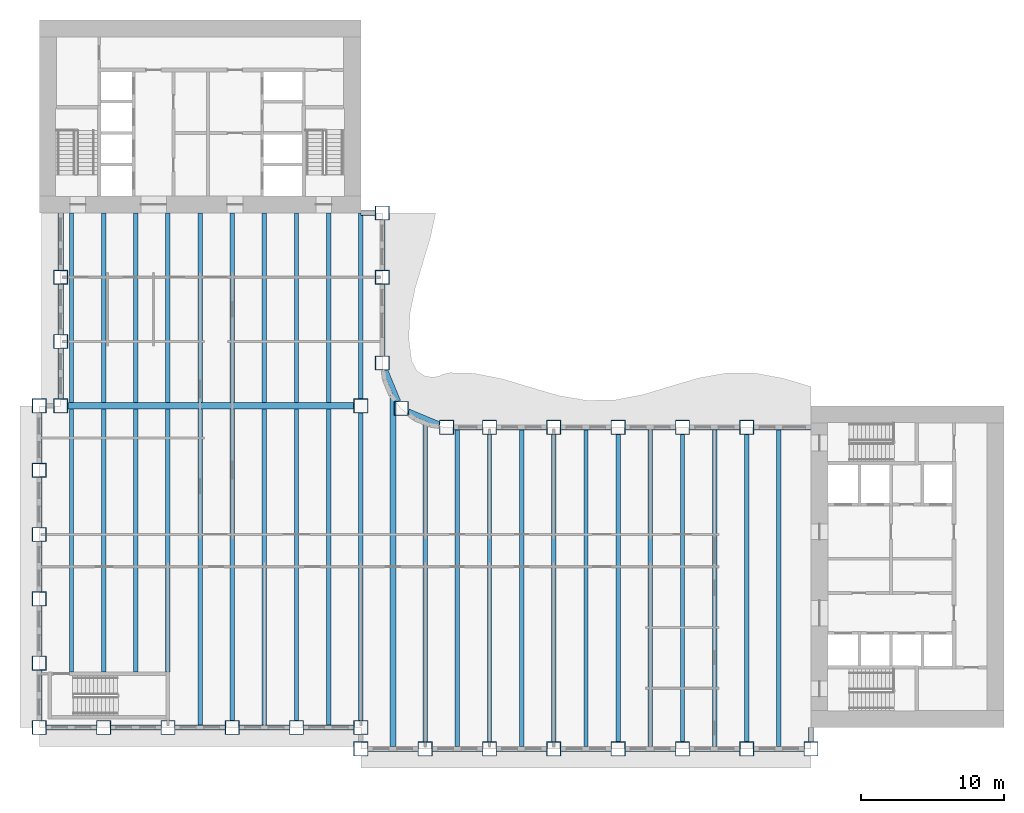
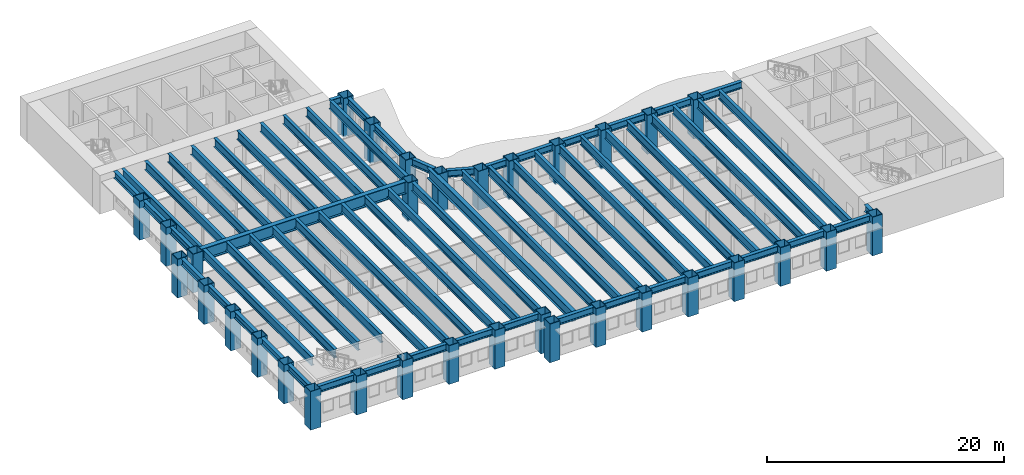
# One storey, part 1 of 16: 66 beams, 33 columns.
"""IFC4 building model written with IfcOpenShell, lengths in metres."""

import ifcopenshell
import ifcopenshell.guid

model = None  # the IFC model being written
_history = None  # IfcOwnerHistory: only IFC2X3 demands one
_inside = {}  # id of a spatial element -> (the spatial element, [elements in it])
_under = {}  # id of a project, library or spatial element -> (it, [spatial elements below it])
_declared = {}  # id of a project -> (the project, [libraries it declares])
_typed = {}  # id of a type object -> (the type object, [elements of that type])
_made_of = {}  # id of a material, layer set ... -> (it, [elements and type objects made of it])


def new_model(schema):
    """Start an empty IFC model of exactly this schema.

    Asked for "IFC4X3", IfcOpenShell would pick the latest addendum, in which some entities
    have other attributes; the version numbers below select the first issue.
    IFC2X3 requires an IfcOwnerHistory on every rooted entity: one is made here for all.
    """
    global model, _history
    if schema == "IFC4X3":
        model = ifcopenshell.file(schema_version=(4, 3, 0, 0))
    else:
        model = ifcopenshell.file(schema=schema)
    _inside.clear()
    _under.clear()
    _declared.clear()
    _typed.clear()
    _made_of.clear()
    _history = None
    if model.schema == "IFC2X3":
        org = make("IfcOrganization", Name="unknown")
        user = make(
            "IfcPersonAndOrganization",
            ThePerson=make("IfcPerson", FamilyName="unknown"),
            TheOrganization=org,
        )
        app = make(
            "IfcApplication",
            ApplicationDeveloper=org,
            Version="unknown",
            ApplicationFullName="unknown",
            ApplicationIdentifier="unknown",
        )
        _history = make(
            "IfcOwnerHistory",
            OwningUser=user,
            OwningApplication=app,
            ChangeAction="ADDED",
            CreationDate=0,
        )
    return model


def make(cls, **values):
    """One entity of the class cls with the attributes given. An attribute that is None is left unset."""
    return model.create_entity(
        cls, **{name: value for name, value in values.items() if value is not None}
    )


def rooted(cls, **values):
    """An entity with a GlobalId (a new one), such as an element, a storey or a relation."""
    return make(cls, GlobalId=ifcopenshell.guid.new(), OwnerHistory=_history, **values)


def si_unit(unit_type, name, prefix=None):
    """IfcSIUnit, for example si_unit("LENGTHUNIT", "METRE", prefix="MILLI")."""
    return make("IfcSIUnit", UnitType=unit_type, Prefix=prefix, Name=name)


def assignment(units):
    """IfcUnitAssignment: the units of a project."""
    return None if units is None else make("IfcUnitAssignment", Units=units)


def point(xyz):
    """IfcCartesianPoint."""
    return None if xyz is None else make("IfcCartesianPoint", Coordinates=xyz)


def direction(xyz):
    """IfcDirection."""
    return None if xyz is None else make("IfcDirection", DirectionRatios=xyz)


def frame(location, z_axis=None, x_axis=None):
    """IfcAxis2Placement3D, a coordinate frame: its origin and axes. An axis left out is left unset."""
    return make(
        "IfcAxis2Placement3D",
        Location=point(location),
        Axis=direction(z_axis),
        RefDirection=direction(x_axis),
    )


def frame_2d(location, x_axis=None):
    """IfcAxis2Placement2D, a coordinate frame in the plane: its origin and x axis."""
    return make(
        "IfcAxis2Placement2D", Location=point(location), RefDirection=direction(x_axis)
    )


def origin():
    """The frame at (0, 0, 0) with its axes left unset."""
    return frame((0.0, 0.0, 0.0))


def origin_2d():
    """The frame at (0, 0) in the plane with its x axis left unset."""
    return frame_2d((0.0, 0.0))


def place(relative_to, where):
    """IfcLocalPlacement: puts the frame where relative to a parent placement (None: the world)."""
    return make(
        "IfcLocalPlacement", PlacementRelTo=relative_to, RelativePlacement=where
    )


def context(
    kind, dimensions, precision=None, world=None, true_north=None, identifier=None
):
    """IfcGeometricRepresentationContext, for example the 3D "Model" context."""
    return make(
        "IfcGeometricRepresentationContext",
        ContextIdentifier=identifier,
        ContextType=kind,
        CoordinateSpaceDimension=dimensions,
        Precision=precision,
        WorldCoordinateSystem=world,
        TrueNorth=true_north,
    )


def subcontext(parent, identifier, kind, view, scale=None):
    """IfcGeometricRepresentationSubContext, for example "Body" below "Model"."""
    return make(
        "IfcGeometricRepresentationSubContext",
        ContextIdentifier=identifier,
        ContextType=kind,
        ParentContext=parent,
        TargetScale=scale,
        TargetView=view,
    )


def project(units=None, contexts=None):
    """IfcProject with its units and contexts."""
    return rooted(
        "IfcProject",
        Name="project",
        RepresentationContexts=contexts,
        UnitsInContext=assignment(units),
    )


def spatial(cls, under=None, at=None, **own):
    """A site, building, storey or space (cls), placed at a placement, below another one or the project."""
    s = rooted(cls, ObjectPlacement=at, **own)
    if under is not None:
        _under.setdefault(under.id(), (under, []))[1].append(s)
    return s


def profile(cls, at=None, kind="AREA", **sizes):
    """A parametric profile (cls). Its sizes go by their IFC names, for example OverallWidth=200.0."""
    return make(cls, ProfileType=kind, Position=at, **sizes)


def hollow_rectangle(**sizes):
    """IfcRectangleHollowProfileDef."""
    return profile("IfcRectangleHollowProfileDef", **sizes)


def i_section(**sizes):
    """IfcIShapeProfileDef."""
    return profile("IfcIShapeProfileDef", **sizes)


def extrude(swept, where, along, depth):
    """IfcExtrudedAreaSolid: the profile swept, set in the frame where, extruded along a direction by depth."""
    return make(
        "IfcExtrudedAreaSolid",
        SweptArea=swept,
        Position=where,
        ExtrudedDirection=direction(along),
        Depth=depth,
    )


def shape(context_of_items, identifier, shape_type, items):
    """IfcShapeRepresentation: the items that make up one representation, for example the "Body"."""
    return make(
        "IfcShapeRepresentation",
        ContextOfItems=context_of_items,
        RepresentationIdentifier=identifier,
        RepresentationType=shape_type,
        Items=items,
    )


def material(Name=None, Category=None):
    """IfcMaterial."""
    return make("IfcMaterial", Name=Name, Category=Category)


def material_profile(
    of_material, cross_section, Name=None, Category=None, Priority=None
):
    """IfcMaterialProfile: a cross section and its material."""
    return make(
        "IfcMaterialProfile",
        Name=Name,
        Material=of_material,
        Profile=cross_section,
        Priority=Priority,
        Category=Category,
    )


def profile_set(profiles, Name=None, composite=None):
    """IfcMaterialProfileSet."""
    return make(
        "IfcMaterialProfileSet",
        Name=Name,
        MaterialProfiles=profiles,
        CompositeProfile=composite,
    )


def made_of(thing, what):
    """Note that an element or type object is made of a material, layer set ...; save() writes the relation."""
    if what is not None:
        _made_of.setdefault(what.id(), (what, []))[1].append(thing)
    return thing


def type_object(cls, material=None, **own):
    """A type object (cls), such as IfcWallType, which elements share."""
    return made_of(rooted(cls, **own), material)


def element(
    cls,
    number,
    at=None,
    inside=None,
    cuts=None,
    type_object=None,
    material=None,
    context=None,
    identifier="Body",
    shape_type=None,
    held_by="IfcProductDefinitionShape",
    body=None,
    shapes=None,
    **own,
):
    """One element of the class cls, such as IfcWall. Its Tag is "e" and its number.

    at: its placement. inside: the storey or other place that contains it. cuts: it is an
    opening in that element (IfcRelVoidsElement). A single representation is given by context,
    identifier, shape_type and body (its items); several are given by shapes. held_by: the class
    of the entity that holds the representations. save() writes the other relations.
    """
    e = rooted(cls, Tag="e%d" % number, ObjectPlacement=at, **own)
    if body is not None:
        shapes = [shape(context, identifier, shape_type, body)]
    if shapes is not None:
        e.Representation = make(held_by, Representations=shapes)
    if inside is not None:
        _inside.setdefault(inside.id(), (inside, []))[1].append(e)
    if cuts is not None:
        rooted(
            "IfcRelVoidsElement", RelatingBuildingElement=cuts, RelatedOpeningElement=e
        )
    if type_object is not None:
        _typed.setdefault(type_object.id(), (type_object, []))[1].append(e)
    return made_of(e, material)


def aggregate(whole, parts):
    """IfcRelAggregates: a whole, such as a stair, and the parts it consists of."""
    return rooted("IfcRelAggregates", RelatingObject=whole, RelatedObjects=parts)


def save(model, path):
    """Write the relations noted so far, then the file.

    IfcRelAggregates (storeys below a building ...), IfcRelContainedInSpatialStructure (elements
    in a storey), IfcRelDefinesByType, IfcRelAssociatesMaterial and IfcRelDeclares: one each for
    every whole, place, type object, material and project.
    """
    for whole, parts in _under.values():
        aggregate(whole, parts)
    for where, things in _inside.values():
        rooted(
            "IfcRelContainedInSpatialStructure",
            RelatedElements=things,
            RelatingStructure=where,
        )
    for kind, things in _typed.values():
        rooted("IfcRelDefinesByType", RelatedObjects=things, RelatingType=kind)
    for what, things in _made_of.values():
        rooted("IfcRelAssociatesMaterial", RelatedObjects=things, RelatingMaterial=what)
    for by, libraries in _declared.values():
        rooted("IfcRelDeclares", RelatingContext=by, RelatedDefinitions=libraries)
    model.write(path)


model = new_model("IFC4")

# Units and contexts
model_context = context("Model", 3, precision=1e-05, world=origin(), true_north=direction((0.0, 1.0)))
body_context = subcontext(model_context, "Body", "Model", "MODEL_VIEW")
ifc_project = project(units=[si_unit("LENGTHUNIT", "METRE"), si_unit("AREAUNIT", "SQUARE_METRE"), si_unit("VOLUMEUNIT", "CUBIC_METRE"), si_unit("PLANEANGLEUNIT", "RADIAN"), si_unit("MASSUNIT", "GRAM", prefix="KILO")], contexts=[model_context])

# Site, building, storey
site_placement = place(None, origin())
site = spatial("IfcSite", under=ifc_project, at=site_placement, CompositionType="ELEMENT")
building_placement = place(site_placement, origin())
building = spatial("IfcBuilding", under=site, at=building_placement, Name="Sennacour Bend Tower", CompositionType="ELEMENT")
storey_placement = place(building_placement, frame((0.0, 0.0, 91.0)))
storey = spatial("IfcBuildingStorey", under=building, at=storey_placement, Name="L20", CompositionType="ELEMENT", Elevation=91.0)

# Columns
ifc_material_1 = material(Name="Steel ASTM A572 Grade 50", Category="steel")
ifc_material_profile_1 = material_profile(ifc_material_1, hollow_rectangle(XDim=1.0, YDim=1.0, WallThickness=0.050048828125, at=origin_2d()), Name="Steel ASTM A572 Grade 50", Category="steel")
ifc_profile_set_1 = profile_set([ifc_material_profile_1], Name="Steel ASTM A572 Grade 50")
column_type = type_object("IfcColumnType", Name="Box column 1000", PredefinedType="COLUMN", material=ifc_profile_set_1)
for number, where, z_axis, x_axis, name in (
    (1, (0.0, 0.0, -0.14990234375), (0.0, 0.0, 1.0), (1.0, 0.0, 0.0), "Perimeter column C2 L20-001"),
    (2, (0.0, 4.5, -0.14990234375), (0.0, 0.0, 1.0), (1.0, 0.0, 0.0), "Perimeter column C2 L20-002"),
    (3, (0.0, 9.0, -0.14990234375), (0.0, 0.0, 1.0), (1.0, 0.0, 0.0), "Perimeter column C2 L20-003"),
    (4, (0.0, 13.5, -0.14990234375), (0.0, 0.0, 1.0), (1.0, 0.0, 0.0), "Perimeter column C2 L20-004"),
    (5, (0.0, 18.0, -0.14990234375), (0.0, 0.0, 1.0), (1.0, 0.0, 0.0), "Perimeter column C2 L20-005"),
    (6, (0.0, 22.5, -0.14990234375), (0.0, 0.0, 1.0), (1.0, 0.0, 0.0), "Perimeter column C2 L20-006"),
    (7, (1.5, 22.5, -0.14990234375), (0.0, 0.0, 1.0), (1.0, 0.0, 0.0), "Perimeter column C2 L20-007"),
    (8, (1.5, 27.0, -0.14990234375), (0.0, 0.0, 1.0), (1.0, 0.0, 0.0), "Perimeter column C2 L20-008"),
    (9, (1.5, 31.5, -0.14990234375), (0.0, 0.0, 1.0), (1.0, 0.0, 0.0), "Perimeter column C2 L20-009"),
    (10, (4.5, 0.0, -0.14990234375), (0.0, 0.0, 1.0), (1.0, 0.0, 0.0), "Perimeter column C2 L20-010"),
    (11, (9.0, 0.0, -0.14990234375), (0.0, 0.0, 1.0), (1.0, 0.0, 0.0), "Perimeter column C2 L20-011"),
    (12, (13.5, 0.0, -0.14990234375), (0.0, 0.0, 1.0), (1.0, 0.0, 0.0), "Perimeter column C2 L20-012"),
    (13, (18.0, 0.0, -0.14990234375), (0.0, 0.0, 1.0), (1.0, 0.0, 0.0), "Perimeter column C2 L20-013"),
    (14, (22.5, -1.5, -0.14990234375), (0.0, 0.0, 1.0), (1.0, 0.0, 0.0), "Perimeter column C2 L20-014"),
    (15, (22.5, 0.0, -0.14990234375), (0.0, 0.0, 1.0), (1.0, 0.0, 0.0), "Perimeter column C2 L20-015"),
    (16, (22.5, 22.5, -0.14990234375), (0.0, 0.0, 1.0), (1.0, 0.0, 0.0), "Knuckle column C2 L20-016"),
    (17, (24.0, 25.5, -0.14990234375), (0.0, 0.0, 1.0), (1.0, 0.0, 0.0), "Perimeter column C2 L20-017"),
    (18, (24.0, 31.5, -0.14990234375), (0.0, 0.0, 1.0), (1.0, 0.0, 0.0), "Perimeter column C2 L20-018"),
    (19, (24.0, 36.0, -0.14990234375), (0.0, 0.0, 1.0), (1.0, 0.0, 0.0), "Perimeter column C2 L20-019"),
    (20, (25.318115234375, 22.318115234375, -0.14990234375), (0.0, 0.0, 1.0), (1.0, 0.0, 0.0), "Perimeter column C2 L20-020"),
    (21, (27.0, -1.5, -0.14990234375), (0.0, 0.0, 1.0), (1.0, 0.0, 0.0), "Perimeter column C2 L20-021"),
    (22, (28.5, 21.0, -0.14990234375), (0.0, 0.0, 1.0), (1.0, 0.0, 0.0), "Perimeter column C2 L20-022"),
    (23, (31.5, -1.5, -0.14990234375), (0.0, 0.0, 1.0), (1.0, 0.0, 0.0), "Perimeter column C2 L20-023"),
    (24, (31.5, 21.0, -0.14990234375), (0.0, 0.0, 1.0), (1.0, 0.0, 0.0), "Perimeter column C2 L20-024"),
    (25, (36.0, -1.5, -0.14990234375), (0.0, 0.0, 1.0), (1.0, 0.0, 0.0), "Perimeter column C2 L20-025"),
    (26, (36.0, 21.0, -0.14990234375), (0.0, 0.0, 1.0), (1.0, 0.0, 0.0), "Perimeter column C2 L20-026"),
    (27, (40.5, -1.5, -0.14990234375), (0.0, 0.0, 1.0), (1.0, 0.0, 0.0), "Perimeter column C2 L20-027"),
    (28, (40.5, 21.0, -0.14990234375), (0.0, 0.0, 1.0), (1.0, 0.0, 0.0), "Perimeter column C2 L20-028"),
    (29, (45.0, -1.5, -0.14990234375), (0.0, 0.0, 1.0), (1.0, 0.0, 0.0), "Perimeter column C2 L20-029"),
    (30, (45.0, 21.0, -0.14990234375), (0.0, 0.0, 1.0), (1.0, 0.0, 0.0), "Perimeter column C2 L20-030"),
    (31, (49.5, -1.5, -0.14990234375), (0.0, 0.0, 1.0), (1.0, 0.0, 0.0), "Perimeter column C2 L20-031"),
    (32, (49.5, 21.0, -0.14990234375), (0.0, 0.0, 1.0), (1.0, 0.0, 0.0), "Perimeter column C2 L20-032"),
    (33, (54.0, -1.5, -0.14990234375), (0.0, 0.0, 1.0), (1.0, 0.0, 0.0), "Perimeter column C2 L20-033"),
):
    element("IfcColumn", number, at=place(storey_placement, frame(where, z_axis=z_axis, x_axis=x_axis)), inside=storey, type_object=column_type, Name=name, PredefinedType="COLUMN", context=body_context, shape_type="SweptSolid", body=[
        extrude(hollow_rectangle(XDim=1.0, YDim=1.0, WallThickness=0.050048828125, at=origin_2d()), origin(), (0.0, 0.0, 1.0), 4.0),
    ])

# Beams
ifc_material_2 = material(Name="Steel ASTM A992 Grade 50", Category="steel")
ifc_material_profile_2 = material_profile(ifc_material_2, i_section(OverallWidth=0.304931640625, OverallDepth=0.912109375, WebThickness=0.015869140625, FlangeThickness=0.02392578125, FilletRadius=0.01904296875, at=origin_2d()), Name="Steel ASTM A992 Grade 50", Category="steel")
ifc_profile_set_2 = profile_set([ifc_material_profile_2], Name="Steel ASTM A992 Grade 50")
beam_type_1 = type_object("IfcBeamType", Name="Floor beam W920X223", PredefinedType="BEAM", material=ifc_profile_set_2)
beam_1_placement = place(storey_placement, frame((2.25, 3.875, 3.39404296875), z_axis=(0.0, 1.0, 0.0), x_axis=(-1.0, 0.0, 0.0)))
element("IfcBeam", 34, at=beam_1_placement, inside=storey, type_object=beam_type_1, Name="Floor beam FBM1 L21-001", PredefinedType="BEAM", context=body_context, shape_type="SweptSolid", body=[
    extrude(i_section(OverallWidth=0.304931640625, OverallDepth=0.912109375, WebThickness=0.015869140625, FlangeThickness=0.02392578125, FilletRadius=0.01904296875, at=origin_2d()), origin(), (0.0, 0.0, 1.0), 18.39990234375),
])
beam_2_placement = place(storey_placement, frame((2.25, 22.72509765625, 3.39404296875), z_axis=(0.0, 1.0, 0.0), x_axis=(-1.0, 0.0, 0.0)))
element("IfcBeam", 35, at=beam_2_placement, inside=storey, type_object=beam_type_1, Name="Floor beam FBM1 L21-002", PredefinedType="BEAM", context=body_context, shape_type="SweptSolid", body=[
    extrude(i_section(OverallWidth=0.304931640625, OverallDepth=0.912109375, WebThickness=0.015869140625, FlangeThickness=0.02392578125, FilletRadius=0.01904296875, at=origin_2d()), origin(), (0.0, 0.0, 1.0), 13.27490234375),
])
beam_3_placement = place(storey_placement, frame((4.5, 3.875, 3.39404296875), z_axis=(0.0, 1.0, 0.0), x_axis=(-1.0, 0.0, 0.0)))
element("IfcBeam", 36, at=beam_3_placement, inside=storey, type_object=beam_type_1, Name="Floor beam FBM1 L21-003", PredefinedType="BEAM", context=body_context, shape_type="SweptSolid", body=[
    extrude(i_section(OverallWidth=0.304931640625, OverallDepth=0.912109375, WebThickness=0.015869140625, FlangeThickness=0.02392578125, FilletRadius=0.01904296875, at=origin_2d()), origin(), (0.0, 0.0, 1.0), 18.39990234375),
])
beam_4_placement = place(storey_placement, frame((4.5, 22.72509765625, 3.39404296875), z_axis=(0.0, 1.0, 0.0), x_axis=(-1.0, 0.0, 0.0)))
element("IfcBeam", 37, at=beam_4_placement, inside=storey, type_object=beam_type_1, Name="Floor beam FBM1 L21-004", PredefinedType="BEAM", context=body_context, shape_type="SweptSolid", body=[
    extrude(i_section(OverallWidth=0.304931640625, OverallDepth=0.912109375, WebThickness=0.015869140625, FlangeThickness=0.02392578125, FilletRadius=0.01904296875, at=origin_2d()), origin(), (0.0, 0.0, 1.0), 13.27490234375),
])
beam_5_placement = place(storey_placement, frame((6.75, 3.875, 3.39404296875), z_axis=(0.0, 1.0, 0.0), x_axis=(-1.0, 0.0, 0.0)))
element("IfcBeam", 38, at=beam_5_placement, inside=storey, type_object=beam_type_1, Name="Floor beam FBM1 L21-005", PredefinedType="BEAM", context=body_context, shape_type="SweptSolid", body=[
    extrude(i_section(OverallWidth=0.304931640625, OverallDepth=0.912109375, WebThickness=0.015869140625, FlangeThickness=0.02392578125, FilletRadius=0.01904296875, at=origin_2d()), origin(), (0.0, 0.0, 1.0), 18.39990234375),
])
beam_6_placement = place(storey_placement, frame((6.75, 22.72509765625, 3.39404296875), z_axis=(0.0, 1.0, 0.0), x_axis=(-1.0, 0.0, 0.0)))
element("IfcBeam", 39, at=beam_6_placement, inside=storey, type_object=beam_type_1, Name="Floor beam FBM1 L21-006", PredefinedType="BEAM", context=body_context, shape_type="SweptSolid", body=[
    extrude(i_section(OverallWidth=0.304931640625, OverallDepth=0.912109375, WebThickness=0.015869140625, FlangeThickness=0.02392578125, FilletRadius=0.01904296875, at=origin_2d()), origin(), (0.0, 0.0, 1.0), 13.27490234375),
])
beam_7_placement = place(storey_placement, frame((9.0, 3.875, 3.39404296875), z_axis=(0.0, 1.0, 0.0), x_axis=(-1.0, 0.0, 0.0)))
element("IfcBeam", 40, at=beam_7_placement, inside=storey, type_object=beam_type_1, Name="Floor beam FBM1 L21-007", PredefinedType="BEAM", context=body_context, shape_type="SweptSolid", body=[
    extrude(i_section(OverallWidth=0.304931640625, OverallDepth=0.912109375, WebThickness=0.015869140625, FlangeThickness=0.02392578125, FilletRadius=0.01904296875, at=origin_2d()), origin(), (0.0, 0.0, 1.0), 18.39990234375),
])
beam_8_placement = place(storey_placement, frame((9.0, 22.72509765625, 3.39404296875), z_axis=(0.0, 1.0, 0.0), x_axis=(-1.0, 0.0, 0.0)))
element("IfcBeam", 41, at=beam_8_placement, inside=storey, type_object=beam_type_1, Name="Floor beam FBM1 L21-008", PredefinedType="BEAM", context=body_context, shape_type="SweptSolid", body=[
    extrude(i_section(OverallWidth=0.304931640625, OverallDepth=0.912109375, WebThickness=0.015869140625, FlangeThickness=0.02392578125, FilletRadius=0.01904296875, at=origin_2d()), origin(), (0.0, 0.0, 1.0), 13.27490234375),
])
beam_9_placement = place(storey_placement, frame((11.25, 0.177978515625, 3.39404296875), z_axis=(0.0, 1.0, 0.0), x_axis=(-1.0, 0.0, 0.0)))
element("IfcBeam", 42, at=beam_9_placement, inside=storey, type_object=beam_type_1, Name="Floor beam FBM1 L21-009", PredefinedType="BEAM", context=body_context, shape_type="SweptSolid", body=[
    extrude(i_section(OverallWidth=0.304931640625, OverallDepth=0.912109375, WebThickness=0.015869140625, FlangeThickness=0.02392578125, FilletRadius=0.01904296875, at=origin_2d()), origin(), (0.0, 0.0, 1.0), 22.096923828125),
])
beam_10_placement = place(storey_placement, frame((11.25, 22.72509765625, 3.39404296875), z_axis=(0.0, 1.0, 0.0), x_axis=(-1.0, 0.0, 0.0)))
element("IfcBeam", 43, at=beam_10_placement, inside=storey, type_object=beam_type_1, Name="Floor beam FBM1 L21-010", PredefinedType="BEAM", context=body_context, shape_type="SweptSolid", body=[
    extrude(i_section(OverallWidth=0.304931640625, OverallDepth=0.912109375, WebThickness=0.015869140625, FlangeThickness=0.02392578125, FilletRadius=0.01904296875, at=origin_2d()), origin(), (0.0, 0.0, 1.0), 13.27490234375),
])
beam_11_placement = place(storey_placement, frame((13.5, 0.5, 3.39404296875), z_axis=(0.0, 1.0, 0.0), x_axis=(-1.0, 0.0, 0.0)))
element("IfcBeam", 44, at=beam_11_placement, inside=storey, type_object=beam_type_1, Name="Floor beam FBM1 L21-011", PredefinedType="BEAM", context=body_context, shape_type="SweptSolid", body=[
    extrude(i_section(OverallWidth=0.304931640625, OverallDepth=0.912109375, WebThickness=0.015869140625, FlangeThickness=0.02392578125, FilletRadius=0.01904296875, at=origin_2d()), origin(), (0.0, 0.0, 1.0), 21.77490234375),
])
beam_12_placement = place(storey_placement, frame((13.5, 22.72509765625, 3.39404296875), z_axis=(0.0, 1.0, 0.0), x_axis=(-1.0, 0.0, 0.0)))
element("IfcBeam", 45, at=beam_12_placement, inside=storey, type_object=beam_type_1, Name="Floor beam FBM1 L21-012", PredefinedType="BEAM", context=body_context, shape_type="SweptSolid", body=[
    extrude(i_section(OverallWidth=0.304931640625, OverallDepth=0.912109375, WebThickness=0.015869140625, FlangeThickness=0.02392578125, FilletRadius=0.01904296875, at=origin_2d()), origin(), (0.0, 0.0, 1.0), 13.27490234375),
])
beam_13_placement = place(storey_placement, frame((15.75, 0.177978515625, 3.39404296875), z_axis=(0.0, 1.0, 0.0), x_axis=(-1.0, 0.0, 0.0)))
element("IfcBeam", 46, at=beam_13_placement, inside=storey, type_object=beam_type_1, Name="Floor beam FBM1 L21-013", PredefinedType="BEAM", context=body_context, shape_type="SweptSolid", body=[
    extrude(i_section(OverallWidth=0.304931640625, OverallDepth=0.912109375, WebThickness=0.015869140625, FlangeThickness=0.02392578125, FilletRadius=0.01904296875, at=origin_2d()), origin(), (0.0, 0.0, 1.0), 22.096923828125),
])
beam_14_placement = place(storey_placement, frame((15.75, 22.72509765625, 3.39404296875), z_axis=(0.0, 1.0, 0.0), x_axis=(-1.0, 0.0, 0.0)))
element("IfcBeam", 47, at=beam_14_placement, inside=storey, type_object=beam_type_1, Name="Floor beam FBM1 L21-014", PredefinedType="BEAM", context=body_context, shape_type="SweptSolid", body=[
    extrude(i_section(OverallWidth=0.304931640625, OverallDepth=0.912109375, WebThickness=0.015869140625, FlangeThickness=0.02392578125, FilletRadius=0.01904296875, at=origin_2d()), origin(), (0.0, 0.0, 1.0), 13.27490234375),
])
beam_15_placement = place(storey_placement, frame((18.0, 0.5, 3.39404296875), z_axis=(0.0, 1.0, 0.0), x_axis=(-1.0, 0.0, 0.0)))
element("IfcBeam", 48, at=beam_15_placement, inside=storey, type_object=beam_type_1, Name="Floor beam FBM1 L21-015", PredefinedType="BEAM", context=body_context, shape_type="SweptSolid", body=[
    extrude(i_section(OverallWidth=0.304931640625, OverallDepth=0.912109375, WebThickness=0.015869140625, FlangeThickness=0.02392578125, FilletRadius=0.01904296875, at=origin_2d()), origin(), (0.0, 0.0, 1.0), 21.77490234375),
])
beam_16_placement = place(storey_placement, frame((18.0, 22.72509765625, 3.39404296875), z_axis=(0.0, 1.0, 0.0), x_axis=(-1.0, 0.0, 0.0)))
element("IfcBeam", 49, at=beam_16_placement, inside=storey, type_object=beam_type_1, Name="Floor beam FBM1 L21-016", PredefinedType="BEAM", context=body_context, shape_type="SweptSolid", body=[
    extrude(i_section(OverallWidth=0.304931640625, OverallDepth=0.912109375, WebThickness=0.015869140625, FlangeThickness=0.02392578125, FilletRadius=0.01904296875, at=origin_2d()), origin(), (0.0, 0.0, 1.0), 13.27490234375),
])
beam_17_placement = place(storey_placement, frame((20.25, 0.177978515625, 3.39404296875), z_axis=(0.0, 1.0, 0.0), x_axis=(-1.0, 0.0, 0.0)))
element("IfcBeam", 50, at=beam_17_placement, inside=storey, type_object=beam_type_1, Name="Floor beam FBM1 L21-017", PredefinedType="BEAM", context=body_context, shape_type="SweptSolid", body=[
    extrude(i_section(OverallWidth=0.304931640625, OverallDepth=0.912109375, WebThickness=0.015869140625, FlangeThickness=0.02392578125, FilletRadius=0.01904296875, at=origin_2d()), origin(), (0.0, 0.0, 1.0), 22.096923828125),
])
beam_18_placement = place(storey_placement, frame((20.25, 22.72509765625, 3.39404296875), z_axis=(0.0, 1.0, 0.0), x_axis=(-1.0, 0.0, 0.0)))
element("IfcBeam", 51, at=beam_18_placement, inside=storey, type_object=beam_type_1, Name="Floor beam FBM1 L21-018", PredefinedType="BEAM", context=body_context, shape_type="SweptSolid", body=[
    extrude(i_section(OverallWidth=0.304931640625, OverallDepth=0.912109375, WebThickness=0.015869140625, FlangeThickness=0.02392578125, FilletRadius=0.01904296875, at=origin_2d()), origin(), (0.0, 0.0, 1.0), 13.27490234375),
])
beam_19_placement = place(storey_placement, frame((22.5, 0.5, 3.39404296875), z_axis=(0.0, 1.0, 0.0), x_axis=(-1.0, 0.0, 0.0)))
element("IfcBeam", 52, at=beam_19_placement, inside=storey, type_object=beam_type_1, Name="Floor beam FBM1 L21-019", PredefinedType="BEAM", context=body_context, shape_type="SweptSolid", body=[
    extrude(i_section(OverallWidth=0.304931640625, OverallDepth=0.912109375, WebThickness=0.015869140625, FlangeThickness=0.02392578125, FilletRadius=0.01904296875, at=origin_2d()), origin(), (0.0, 0.0, 1.0), 21.5),
])
beam_20_placement = place(storey_placement, frame((22.5, 23.0, 3.39404296875), z_axis=(0.0, 1.0, 0.0), x_axis=(-1.0, 0.0, 0.0)))
element("IfcBeam", 53, at=beam_20_placement, inside=storey, type_object=beam_type_1, Name="Floor beam FBM1 L21-020", PredefinedType="BEAM", context=body_context, shape_type="SweptSolid", body=[
    extrude(i_section(OverallWidth=0.304931640625, OverallDepth=0.912109375, WebThickness=0.015869140625, FlangeThickness=0.02392578125, FilletRadius=0.01904296875, at=origin_2d()), origin(), (0.0, 0.0, 1.0), 13.0),
])
beam_21_placement = place(storey_placement, frame((27.0, -1.0, 3.39404296875), z_axis=(0.0, 1.0, 0.0), x_axis=(-1.0, 0.0, 0.0)))
element("IfcBeam", 54, at=beam_21_placement, inside=storey, type_object=beam_type_1, Name="Floor beam FBM1 L21-022", PredefinedType="BEAM", context=body_context, shape_type="SweptSolid", body=[
    extrude(i_section(OverallWidth=0.304931640625, OverallDepth=0.912109375, WebThickness=0.015869140625, FlangeThickness=0.02392578125, FilletRadius=0.01904296875, at=origin_2d()), origin(), (0.0, 0.0, 1.0), 22.4287109375),
])
beam_22_placement = place(storey_placement, frame((29.25, -1.322021484375, 3.39404296875), z_axis=(0.0, 1.0, 0.0), x_axis=(-1.0, 0.0, 0.0)))
element("IfcBeam", 55, at=beam_22_placement, inside=storey, type_object=beam_type_1, Name="Floor beam FBM1 L21-023", PredefinedType="BEAM", context=body_context, shape_type="SweptSolid", body=[
    extrude(i_section(OverallWidth=0.304931640625, OverallDepth=0.912109375, WebThickness=0.015869140625, FlangeThickness=0.02392578125, FilletRadius=0.01904296875, at=origin_2d()), origin(), (0.0, 0.0, 1.0), 22.14404296875),
])
beam_23_placement = place(storey_placement, frame((31.5, -1.0, 3.39404296875), z_axis=(0.0, 1.0, 0.0), x_axis=(-1.0, 0.0, 0.0)))
element("IfcBeam", 56, at=beam_23_placement, inside=storey, type_object=beam_type_1, Name="Floor beam FBM1 L21-024", PredefinedType="BEAM", context=body_context, shape_type="SweptSolid", body=[
    extrude(i_section(OverallWidth=0.304931640625, OverallDepth=0.912109375, WebThickness=0.015869140625, FlangeThickness=0.02392578125, FilletRadius=0.01904296875, at=origin_2d()), origin(), (0.0, 0.0, 1.0), 21.5),
])
beam_24_placement = place(storey_placement, frame((33.75, -1.322021484375, 3.39404296875), z_axis=(0.0, 1.0, 0.0), x_axis=(-1.0, 0.0, 0.0)))
element("IfcBeam", 57, at=beam_24_placement, inside=storey, type_object=beam_type_1, Name="Floor beam FBM1 L21-025", PredefinedType="BEAM", context=body_context, shape_type="SweptSolid", body=[
    extrude(i_section(OverallWidth=0.304931640625, OverallDepth=0.912109375, WebThickness=0.015869140625, FlangeThickness=0.02392578125, FilletRadius=0.01904296875, at=origin_2d()), origin(), (0.0, 0.0, 1.0), 22.14404296875),
])
beam_25_placement = place(storey_placement, frame((36.0, -1.0, 3.39404296875), z_axis=(0.0, 1.0, 0.0), x_axis=(-1.0, 0.0, 0.0)))
element("IfcBeam", 58, at=beam_25_placement, inside=storey, type_object=beam_type_1, Name="Floor beam FBM1 L21-026", PredefinedType="BEAM", context=body_context, shape_type="SweptSolid", body=[
    extrude(i_section(OverallWidth=0.304931640625, OverallDepth=0.912109375, WebThickness=0.015869140625, FlangeThickness=0.02392578125, FilletRadius=0.01904296875, at=origin_2d()), origin(), (0.0, 0.0, 1.0), 21.5),
])
beam_26_placement = place(storey_placement, frame((38.25, -1.322021484375, 3.39404296875), z_axis=(0.0, 1.0, 0.0), x_axis=(-1.0, 0.0, 0.0)))
element("IfcBeam", 59, at=beam_26_placement, inside=storey, type_object=beam_type_1, Name="Floor beam FBM1 L21-027", PredefinedType="BEAM", context=body_context, shape_type="SweptSolid", body=[
    extrude(i_section(OverallWidth=0.304931640625, OverallDepth=0.912109375, WebThickness=0.015869140625, FlangeThickness=0.02392578125, FilletRadius=0.01904296875, at=origin_2d()), origin(), (0.0, 0.0, 1.0), 22.14404296875),
])
beam_27_placement = place(storey_placement, frame((40.5, -1.0, 3.39404296875), z_axis=(0.0, 1.0, 0.0), x_axis=(-1.0, 0.0, 0.0)))
element("IfcBeam", 60, at=beam_27_placement, inside=storey, type_object=beam_type_1, Name="Floor beam FBM1 L21-028", PredefinedType="BEAM", context=body_context, shape_type="SweptSolid", body=[
    extrude(i_section(OverallWidth=0.304931640625, OverallDepth=0.912109375, WebThickness=0.015869140625, FlangeThickness=0.02392578125, FilletRadius=0.01904296875, at=origin_2d()), origin(), (0.0, 0.0, 1.0), 21.5),
])
beam_28_placement = place(storey_placement, frame((42.75, -1.322021484375, 3.39404296875), z_axis=(0.0, 1.0, 0.0), x_axis=(-1.0, 0.0, 0.0)))
element("IfcBeam", 61, at=beam_28_placement, inside=storey, type_object=beam_type_1, Name="Floor beam FBM1 L21-029", PredefinedType="BEAM", context=body_context, shape_type="SweptSolid", body=[
    extrude(i_section(OverallWidth=0.304931640625, OverallDepth=0.912109375, WebThickness=0.015869140625, FlangeThickness=0.02392578125, FilletRadius=0.01904296875, at=origin_2d()), origin(), (0.0, 0.0, 1.0), 22.14404296875),
])
beam_29_placement = place(storey_placement, frame((45.0, -1.0, 3.39404296875), z_axis=(0.0, 1.0, 0.0), x_axis=(-1.0, 0.0, 0.0)))
element("IfcBeam", 62, at=beam_29_placement, inside=storey, type_object=beam_type_1, Name="Floor beam FBM1 L21-030", PredefinedType="BEAM", context=body_context, shape_type="SweptSolid", body=[
    extrude(i_section(OverallWidth=0.304931640625, OverallDepth=0.912109375, WebThickness=0.015869140625, FlangeThickness=0.02392578125, FilletRadius=0.01904296875, at=origin_2d()), origin(), (0.0, 0.0, 1.0), 21.5),
])
beam_30_placement = place(storey_placement, frame((47.25, -1.322021484375, 3.39404296875), z_axis=(0.0, 1.0, 0.0), x_axis=(-1.0, 0.0, 0.0)))
element("IfcBeam", 63, at=beam_30_placement, inside=storey, type_object=beam_type_1, Name="Floor beam FBM1 L21-031", PredefinedType="BEAM", context=body_context, shape_type="SweptSolid", body=[
    extrude(i_section(OverallWidth=0.304931640625, OverallDepth=0.912109375, WebThickness=0.015869140625, FlangeThickness=0.02392578125, FilletRadius=0.01904296875, at=origin_2d()), origin(), (0.0, 0.0, 1.0), 22.14404296875),
])
beam_31_placement = place(storey_placement, frame((49.5, -1.0, 3.39404296875), z_axis=(0.0, 1.0, 0.0), x_axis=(-1.0, 0.0, 0.0)))
element("IfcBeam", 64, at=beam_31_placement, inside=storey, type_object=beam_type_1, Name="Floor beam FBM1 L21-032", PredefinedType="BEAM", context=body_context, shape_type="SweptSolid", body=[
    extrude(i_section(OverallWidth=0.304931640625, OverallDepth=0.912109375, WebThickness=0.015869140625, FlangeThickness=0.02392578125, FilletRadius=0.01904296875, at=origin_2d()), origin(), (0.0, 0.0, 1.0), 21.5),
])
beam_32_placement = place(storey_placement, frame((51.75, -1.322021484375, 3.39404296875), z_axis=(0.0, 1.0, 0.0), x_axis=(-1.0, 0.0, 0.0)))
element("IfcBeam", 65, at=beam_32_placement, inside=storey, type_object=beam_type_1, Name="Floor beam FBM1 L21-033", PredefinedType="BEAM", context=body_context, shape_type="SweptSolid", body=[
    extrude(i_section(OverallWidth=0.304931640625, OverallDepth=0.912109375, WebThickness=0.015869140625, FlangeThickness=0.02392578125, FilletRadius=0.01904296875, at=origin_2d()), origin(), (0.0, 0.0, 1.0), 22.14404296875),
])
ifc_material_profile_3 = material_profile(ifc_material_1, i_section(OverallWidth=0.449951171875, OverallDepth=1.25, WebThickness=0.028076171875, FlangeThickness=0.050048828125, at=origin_2d()), Name="Steel ASTM A572 Grade 50", Category="steel")
ifc_profile_set_3 = profile_set([ifc_material_profile_3], Name="Steel ASTM A572 Grade 50")
beam_type_2 = type_object("IfcBeamType", Name="Knuckle girder 1250", PredefinedType="USERDEFINED", material=ifc_profile_set_3)
beam_33_placement = place(storey_placement, frame((2.0, 22.5, 3.22509765625), z_axis=(1.0, 0.0, 0.0), x_axis=(0.0, 1.0, 0.0)))
element("IfcBeam", 66, at=beam_33_placement, inside=storey, type_object=beam_type_2, Name="Knuckle girder GK L21-001", ObjectType="KNUCKLE GIRDER", PredefinedType="USERDEFINED", context=body_context, shape_type="SweptSolid", body=[
    extrude(i_section(OverallWidth=0.449951171875, OverallDepth=1.25, WebThickness=0.028076171875, FlangeThickness=0.050048828125, at=origin_2d()), origin(), (0.0, 0.0, 1.0), 20.0),
])
ifc_material_profile_4 = material_profile(ifc_material_2, i_section(OverallWidth=0.40087890625, OverallDepth=1.090087890625, WebThickness=0.01806640625, FlangeThickness=0.031005859375, FilletRadius=0.02001953125, at=origin_2d()), Name="Steel ASTM A992 Grade 50", Category="steel")
ifc_profile_set_4 = profile_set([ifc_material_profile_4], Name="Steel ASTM A992 Grade 50")
beam_type_3 = type_object("IfcBeamType", Name="Notch floor beam W1100X343", PredefinedType="BEAM", material=ifc_profile_set_4)
beam_34_placement = place(storey_placement, frame((24.75, -1.322021484375, 3.304931640625), z_axis=(0.0, 1.0, 0.0), x_axis=(-1.0, 0.0, 0.0)))
element("IfcBeam", 67, at=beam_34_placement, inside=storey, type_object=beam_type_3, Name="Floor beam FBM4 L21-021", PredefinedType="BEAM", context=body_context, shape_type="SweptSolid", body=[
    extrude(i_section(OverallWidth=0.40087890625, OverallDepth=1.090087890625, WebThickness=0.01806640625, FlangeThickness=0.031005859375, FilletRadius=0.02001953125, at=origin_2d()), origin(), (0.0, 0.0, 1.0), 24.546142578125),
])
ifc_material_profile_5 = material_profile(ifc_material_2, i_section(OverallWidth=0.35595703125, OverallDepth=0.696044921875, WebThickness=0.015380859375, FlangeThickness=0.02490234375, FilletRadius=0.02001953125, at=origin_2d()), Name="Steel ASTM A992 Grade 50", Category="steel")
ifc_profile_set_5 = profile_set([ifc_material_profile_5], Name="Steel ASTM A992 Grade 50")
beam_type_4 = type_object("IfcBeamType", Name="Spandrel beam W690X217", PredefinedType="SPANDREL", material=ifc_profile_set_5)
for number, where, z_axis, x_axis, name in (
    (68, (22.0, 0.0, 3.501953125), (-1.0, 0.0, 0.0), (0.0, -1.0, 0.0), "Spandrel beam SP3 L21-001"),
    (69, (17.5, 0.0, 3.501953125), (-1.0, 0.0, 0.0), (0.0, -1.0, 0.0), "Spandrel beam SP3 L21-002"),
    (70, (13.0, 0.0, 3.501953125), (-1.0, 0.0, 0.0), (0.0, -1.0, 0.0), "Spandrel beam SP3 L21-003"),
    (71, (8.5, 0.0, 3.501953125), (-1.0, 0.0, 0.0), (0.0, -1.0, 0.0), "Spandrel beam SP3 L21-004"),
    (72, (4.0, 0.0, 3.501953125), (-1.0, 0.0, 0.0), (0.0, -1.0, 0.0), "Spandrel beam SP3 L21-005"),
    (73, (0.0, 0.5, 3.501953125), (0.0, 1.0, 0.0), (-1.0, 0.0, 0.0), "Spandrel beam SP3 L21-006"),
    (74, (0.0, 5.0, 3.501953125), (0.0, 1.0, 0.0), (-1.0, 0.0, 0.0), "Spandrel beam SP3 L21-007"),
    (75, (0.0, 9.5, 3.501953125), (0.0, 1.0, 0.0), (-1.0, 0.0, 0.0), "Spandrel beam SP3 L21-008"),
    (76, (0.0, 14.0, 3.501953125), (0.0, 1.0, 0.0), (-1.0, 0.0, 0.0), "Spandrel beam SP3 L21-009"),
    (77, (0.0, 18.5, 3.501953125), (0.0, 1.0, 0.0), (-1.0, 0.0, 0.0), "Spandrel beam SP3 L21-010"),
    (78, (1.5, 23.0, 3.501953125), (0.0, 1.0, 0.0), (-1.0, 0.0, 0.0), "Spandrel beam SP3 L21-011"),
    (79, (1.5, 27.5, 3.501953125), (0.0, 1.0, 0.0), (-1.0, 0.0, 0.0), "Spandrel beam SP3 L21-012"),
):
    element("IfcBeam", number, at=place(storey_placement, frame(where, z_axis=z_axis, x_axis=x_axis)), inside=storey, type_object=beam_type_4, Name=name, PredefinedType="SPANDREL", context=body_context, shape_type="SweptSolid", body=[
        extrude(i_section(OverallWidth=0.35595703125, OverallDepth=0.696044921875, WebThickness=0.015380859375, FlangeThickness=0.02490234375, FilletRadius=0.02001953125, at=origin_2d()), origin(), (0.0, 0.0, 1.0), 3.5),
    ])
beam_35_placement = place(storey_placement, frame((1.5, 32.0, 3.501953125), z_axis=(0.0, 1.0, 0.0), x_axis=(-1.0, 0.0, 0.0)))
element("IfcBeam", 80, at=beam_35_placement, inside=storey, type_object=beam_type_4, Name="Spandrel beam SP3 L21-013", PredefinedType="SPANDREL", context=body_context, shape_type="SweptSolid", body=[
    extrude(i_section(OverallWidth=0.35595703125, OverallDepth=0.696044921875, WebThickness=0.015380859375, FlangeThickness=0.02490234375, FilletRadius=0.02001953125, at=origin_2d()), origin(), (0.0, 0.0, 1.0), 4.0),
])
beam_36_placement = place(storey_placement, frame((22.5, 36.0, 3.501953125), z_axis=(1.0, 0.0, 0.0), x_axis=(0.0, 1.0, 0.0)))
element("IfcBeam", 81, at=beam_36_placement, inside=storey, type_object=beam_type_4, Name="Spandrel beam SP3 L21-014", PredefinedType="SPANDREL", context=body_context, shape_type="SweptSolid", body=[
    extrude(i_section(OverallWidth=0.35595703125, OverallDepth=0.696044921875, WebThickness=0.015380859375, FlangeThickness=0.02490234375, FilletRadius=0.02001953125, at=origin_2d()), origin(), (0.0, 0.0, 1.0), 1.0),
])
beam_37_placement = place(storey_placement, frame((24.0, 35.5, 3.501953125), z_axis=(0.0, -1.0, 0.0), x_axis=(1.0, 0.0, 0.0)))
element("IfcBeam", 82, at=beam_37_placement, inside=storey, type_object=beam_type_4, Name="Spandrel beam SP3 L21-015", PredefinedType="SPANDREL", context=body_context, shape_type="SweptSolid", body=[
    extrude(i_section(OverallWidth=0.35595703125, OverallDepth=0.696044921875, WebThickness=0.015380859375, FlangeThickness=0.02490234375, FilletRadius=0.02001953125, at=origin_2d()), origin(), (0.0, 0.0, 1.0), 3.5),
])
beam_38_placement = place(storey_placement, frame((24.0, 31.0, 3.501953125), z_axis=(0.0, -1.0, 0.0), x_axis=(1.0, 0.0, 0.0)))
element("IfcBeam", 83, at=beam_38_placement, inside=storey, type_object=beam_type_4, Name="Spandrel beam SP3 L21-016", PredefinedType="SPANDREL", context=body_context, shape_type="SweptSolid", body=[
    extrude(i_section(OverallWidth=0.35595703125, OverallDepth=0.696044921875, WebThickness=0.015380859375, FlangeThickness=0.02490234375, FilletRadius=0.02001953125, at=origin_2d()), origin(), (0.0, 0.0, 1.0), 5.0),
])
for number, where, z_axis, x_axis, name in (
    (84, (24.20703125, 25.0, 3.501953125), (0.382698732017, -0.92387319504, 0.0), (0.92387319504, 0.382698732017, 0.0), "Spandrel beam SP3 L21-017"),
    (85, (25.818115234375, 22.11083984375, 3.501953125), (0.92387319504, -0.382698732017, 0.0), (0.382698732017, 0.92387319504, 0.0), "Spandrel beam SP3 L21-018"),
):
    element("IfcBeam", number, at=place(storey_placement, frame(where, z_axis=z_axis, x_axis=x_axis)), inside=storey, type_object=beam_type_4, Name=name, PredefinedType="SPANDREL", context=body_context, shape_type="SweptSolid", body=[
        extrude(i_section(OverallWidth=0.35595703125, OverallDepth=0.696044921875, WebThickness=0.015380859375, FlangeThickness=0.02490234375, FilletRadius=0.02001953125, at=origin_2d()), origin(), (0.0, 0.0, 1.0), 2.361572265625),
    ])
beam_39_placement = place(storey_placement, frame((29.0, 21.0, 3.501953125), z_axis=(1.0, 0.0, 0.0), x_axis=(0.0, 1.0, 0.0)))
element("IfcBeam", 86, at=beam_39_placement, inside=storey, type_object=beam_type_4, Name="Spandrel beam SP3 L21-019", PredefinedType="SPANDREL", context=body_context, shape_type="SweptSolid", body=[
    extrude(i_section(OverallWidth=0.35595703125, OverallDepth=0.696044921875, WebThickness=0.015380859375, FlangeThickness=0.02490234375, FilletRadius=0.02001953125, at=origin_2d()), origin(), (0.0, 0.0, 1.0), 2.0),
])
for number, where, z_axis, x_axis, name in (
    (87, (32.0, 21.0, 3.501953125), (1.0, 0.0, 0.0), (0.0, 1.0, 0.0), "Spandrel beam SP3 L21-020"),
    (88, (36.5, 21.0, 3.501953125), (1.0, 0.0, 0.0), (0.0, 1.0, 0.0), "Spandrel beam SP3 L21-021"),
    (89, (41.0, 21.0, 3.501953125), (1.0, 0.0, 0.0), (0.0, 1.0, 0.0), "Spandrel beam SP3 L21-022"),
    (90, (45.5, 21.0, 3.501953125), (1.0, 0.0, 0.0), (0.0, 1.0, 0.0), "Spandrel beam SP3 L21-023"),
):
    element("IfcBeam", number, at=place(storey_placement, frame(where, z_axis=z_axis, x_axis=x_axis)), inside=storey, type_object=beam_type_4, Name=name, PredefinedType="SPANDREL", context=body_context, shape_type="SweptSolid", body=[
        extrude(i_section(OverallWidth=0.35595703125, OverallDepth=0.696044921875, WebThickness=0.015380859375, FlangeThickness=0.02490234375, FilletRadius=0.02001953125, at=origin_2d()), origin(), (0.0, 0.0, 1.0), 3.5),
    ])
beam_40_placement = place(storey_placement, frame((50.0, 21.0, 3.501953125), z_axis=(1.0, 0.0, 0.0), x_axis=(0.0, 1.0, 0.0)))
element("IfcBeam", 91, at=beam_40_placement, inside=storey, type_object=beam_type_4, Name="Spandrel beam SP3 L21-024", PredefinedType="SPANDREL", context=body_context, shape_type="SweptSolid", body=[
    extrude(i_section(OverallWidth=0.35595703125, OverallDepth=0.696044921875, WebThickness=0.015380859375, FlangeThickness=0.02490234375, FilletRadius=0.02001953125, at=origin_2d()), origin(), (0.0, 0.0, 1.0), 4.0),
])
beam_41_placement = place(storey_placement, frame((54.0, 0.0, 3.501953125), z_axis=(0.0, -1.0, 0.0), x_axis=(1.0, 0.0, 0.0)))
element("IfcBeam", 92, at=beam_41_placement, inside=storey, type_object=beam_type_4, Name="Spandrel beam SP3 L21-025", PredefinedType="SPANDREL", context=body_context, shape_type="SweptSolid", body=[
    extrude(i_section(OverallWidth=0.35595703125, OverallDepth=0.696044921875, WebThickness=0.015380859375, FlangeThickness=0.02490234375, FilletRadius=0.02001953125, at=origin_2d()), origin(), (0.0, 0.0, 1.0), 1.0),
])
for number, where, z_axis, x_axis, name in (
    (93, (53.5, -1.5, 3.501953125), (-1.0, 0.0, 0.0), (0.0, -1.0, 0.0), "Spandrel beam SP3 L21-026"),
    (94, (49.0, -1.5, 3.501953125), (-1.0, 0.0, 0.0), (0.0, -1.0, 0.0), "Spandrel beam SP3 L21-027"),
    (95, (44.5, -1.5, 3.501953125), (-1.0, 0.0, 0.0), (0.0, -1.0, 0.0), "Spandrel beam SP3 L21-028"),
    (96, (40.0, -1.5, 3.501953125), (-1.0, 0.0, 0.0), (0.0, -1.0, 0.0), "Spandrel beam SP3 L21-029"),
    (97, (35.5, -1.5, 3.501953125), (-1.0, 0.0, 0.0), (0.0, -1.0, 0.0), "Spandrel beam SP3 L21-030"),
    (98, (31.0, -1.5, 3.501953125), (-1.0, 0.0, 0.0), (0.0, -1.0, 0.0), "Spandrel beam SP3 L21-031"),
    (99, (26.5, -1.5, 3.501953125), (-1.0, 0.0, 0.0), (0.0, -1.0, 0.0), "Spandrel beam SP3 L21-032"),
):
    element("IfcBeam", number, at=place(storey_placement, frame(where, z_axis=z_axis, x_axis=x_axis)), inside=storey, type_object=beam_type_4, Name=name, PredefinedType="SPANDREL", context=body_context, shape_type="SweptSolid", body=[
        extrude(i_section(OverallWidth=0.35595703125, OverallDepth=0.696044921875, WebThickness=0.015380859375, FlangeThickness=0.02490234375, FilletRadius=0.02001953125, at=origin_2d()), origin(), (0.0, 0.0, 1.0), 3.5),
    ])

save(model, "model.ifc")
